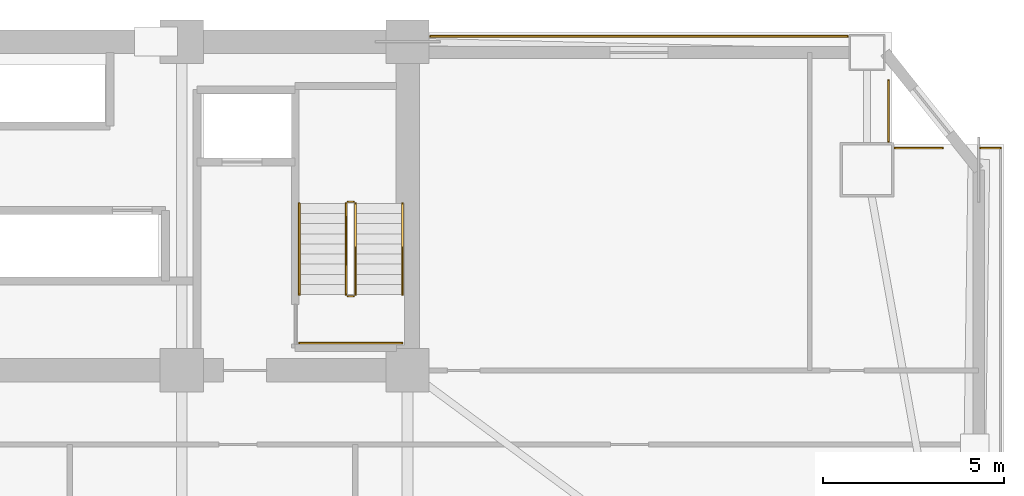
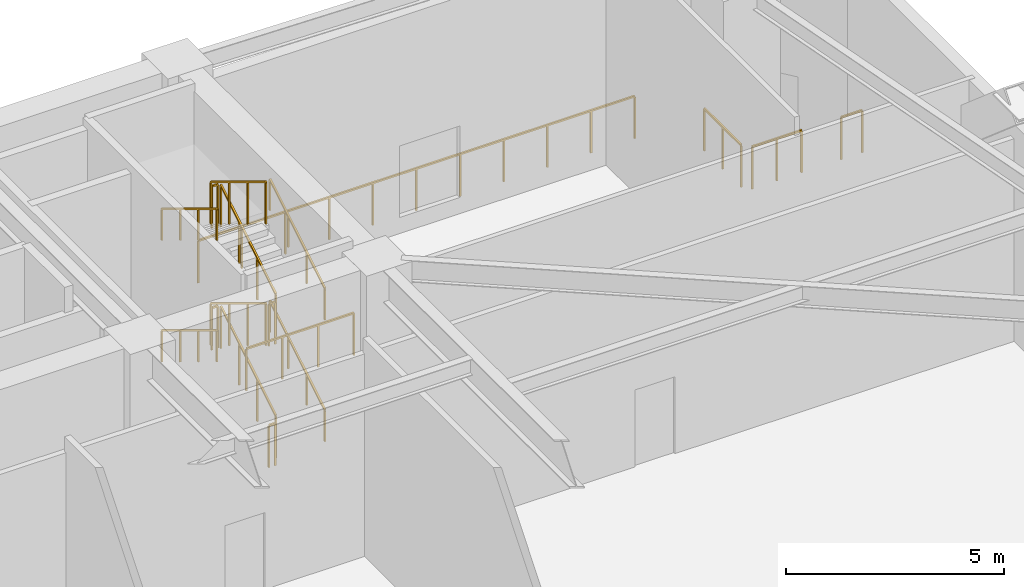
# One storey, part 22 of 22: 17 railings.
"""IFC4 building model written with IfcOpenShell, lengths in metres."""

from ifc_helpers import new_model, si_unit, direction, frame, origin, origin_2d, place, context, subcontext, project, spatial, rectangle, extrude, material, type_object, element, save


model = new_model("IFC4")

# Units and contexts
model_context = context("Model", 3, precision=1e-05, world=origin(), true_north=direction((0.0, 1.0)))
body_context = subcontext(model_context, "Body", "Model", "MODEL_VIEW")
ifc_project = project(units=[si_unit("LENGTHUNIT", "METRE"), si_unit("AREAUNIT", "SQUARE_METRE"), si_unit("VOLUMEUNIT", "CUBIC_METRE"), si_unit("PLANEANGLEUNIT", "RADIAN"), si_unit("MASSUNIT", "GRAM", prefix="KILO")], contexts=[model_context])

# Site, building, storey
site_placement = place(None, origin())
site = spatial("IfcSite", under=ifc_project, at=site_placement, CompositionType="ELEMENT")
building_placement = place(site_placement, origin())
building = spatial("IfcBuilding", under=site, at=building_placement, Name="Giltprow Tower", CompositionType="ELEMENT")
storey_placement = place(building_placement, frame((0.0, 0.0, 72.800048828125)))
storey = spatial("IfcBuildingStorey", under=building, at=storey_placement, Name="L18", CompositionType="ELEMENT", Elevation=72.800048828125)

# Railings
ifc_material = material(Name="Anodized bronze", Category="metal")
railing_type_1 = type_object("IfcRailingType", Name="RAIL-BALC-GUARD-1200", PredefinedType="BALUSTRADE", material=ifc_material)
railing_1_placement = place(storey_placement, frame((51.18505859375, 46.699951171875, 0.0)))
element("IfcRailing", 1, at=railing_1_placement, inside=storey, type_object=railing_type_1, Name="L18 Corner Apron Edge Balustrade 10", PredefinedType="BALUSTRADE", context=body_context, shape_type="SweptSolid", body=[
    extrude(rectangle(XDim=0.048095703125, YDim=0.048095703125, at=origin_2d()), frame((0.0, 0.0, 1.17578125), z_axis=(1.0, 0.0, 0.0), x_axis=(0.0, 1.0, 0.0)), (0.0, 0.0, 1.0), 11.544921875),
    extrude(rectangle(XDim=0.0419921875, YDim=0.0419921875, at=origin_2d()), origin(), (0.0, 0.0, 1.0), 1.15185546875),
    extrude(rectangle(XDim=0.0419921875, YDim=0.0419921875, at=origin_2d()), frame((1.154541015625, 0.0, 0.0)), (0.0, 0.0, 1.0), 1.15185546875),
    extrude(rectangle(XDim=0.0419921875, YDim=0.0419921875, at=origin_2d()), frame((2.30908203125, 0.0, 0.0)), (0.0, 0.0, 1.0), 1.15185546875),
    extrude(rectangle(XDim=0.0419921875, YDim=0.0419921875, at=origin_2d()), frame((3.46337890625, 0.0, 0.0)), (0.0, 0.0, 1.0), 1.15185546875),
    extrude(rectangle(XDim=0.0419921875, YDim=0.0419921875, at=origin_2d()), frame((4.617919921875, 0.0, 0.0)), (0.0, 0.0, 1.0), 1.15185546875),
    extrude(rectangle(XDim=0.0419921875, YDim=0.0419921875, at=origin_2d()), frame((5.7724609375, 0.0, 0.0)), (0.0, 0.0, 1.0), 1.15185546875),
    extrude(rectangle(XDim=0.0419921875, YDim=0.0419921875, at=origin_2d()), frame((6.927001953125, 0.0, 0.0)), (0.0, 0.0, 1.0), 1.15185546875),
    extrude(rectangle(XDim=0.0419921875, YDim=0.0419921875, at=origin_2d()), frame((8.08154296875, 0.0, 0.0)), (0.0, 0.0, 1.0), 1.15185546875),
    extrude(rectangle(XDim=0.0419921875, YDim=0.0419921875, at=origin_2d()), frame((9.23583984375, 0.0, 0.0)), (0.0, 0.0, 1.0), 1.15185546875),
    extrude(rectangle(XDim=0.0419921875, YDim=0.0419921875, at=origin_2d()), frame((10.390380859375, 0.0, 0.0)), (0.0, 0.0, 1.0), 1.15185546875),
    extrude(rectangle(XDim=0.0419921875, YDim=0.0419921875, at=origin_2d()), frame((11.544921875, 0.0, 0.0)), (0.0, 0.0, 1.0), 1.15185546875),
])
railing_2_placement = place(storey_placement, frame((63.864990234375, 45.468994140625, 0.0)))
element("IfcRailing", 2, at=railing_2_placement, inside=storey, type_object=railing_type_1, Name="L18 Corner Apron Edge Balustrade 11", PredefinedType="BALUSTRADE", context=body_context, shape_type="SweptSolid", body=[
    extrude(rectangle(XDim=0.048095703125, YDim=0.048095703125, at=origin_2d()), frame((0.0, 0.0, 1.17578125), z_axis=(0.0, -1.0, 0.0), x_axis=(1.0, 0.0, 0.0)), (0.0, 0.0, 1.0), 1.679931640625),
    extrude(rectangle(XDim=0.0419921875, YDim=0.0419921875, at=origin_2d()), origin(), (0.0, 0.0, 1.0), 1.15185546875),
    extrude(rectangle(XDim=0.0419921875, YDim=0.0419921875, at=origin_2d()), frame((0.0, -0.83984375, 0.0)), (0.0, 0.0, 1.0), 1.15185546875),
    extrude(rectangle(XDim=0.0419921875, YDim=0.0419921875, at=origin_2d()), frame((0.0, -1.679931640625, 0.0)), (0.0, 0.0, 1.0), 1.15185546875),
])
railing_3_placement = place(storey_placement, frame((64.050048828125, 43.60400390625, 0.0)))
element("IfcRailing", 3, at=railing_3_placement, inside=storey, type_object=railing_type_1, Name="L18 Corner Apron Edge Balustrade 12", PredefinedType="BALUSTRADE", context=body_context, shape_type="SweptSolid", body=[
    extrude(rectangle(XDim=0.048095703125, YDim=0.048095703125, at=origin_2d()), frame((0.0, 0.0, 1.17578125), z_axis=(1.0, 0.0, 0.0), x_axis=(0.0, 1.0, 0.0)), (0.0, 0.0, 1.0), 1.305908203125),
    extrude(rectangle(XDim=0.0419921875, YDim=0.0419921875, at=origin_2d()), origin(), (0.0, 0.0, 1.0), 1.15185546875),
    extrude(rectangle(XDim=0.0419921875, YDim=0.0419921875, at=origin_2d()), frame((0.65283203125, 0.0, 0.0)), (0.0, 0.0, 1.0), 1.15185546875),
    extrude(rectangle(XDim=0.0419921875, YDim=0.0419921875, at=origin_2d()), frame((1.305908203125, 0.0, 0.0)), (0.0, 0.0, 1.0), 1.15185546875),
])
railing_4_placement = place(storey_placement, frame((66.406005859375, 43.60400390625, 0.0)))
element("IfcRailing", 4, at=railing_4_placement, inside=storey, type_object=railing_type_1, Name="L18 Corner Apron Edge Balustrade 13", PredefinedType="BALUSTRADE", context=body_context, shape_type="SweptSolid", body=[
    extrude(rectangle(XDim=0.048095703125, YDim=0.048095703125, at=origin_2d()), frame((0.0, 0.0, 1.17578125), z_axis=(1.0, 0.0, 0.0), x_axis=(0.0, 1.0, 0.0)), (0.0, 0.0, 1.0), 0.554931640625),
    extrude(rectangle(XDim=0.0419921875, YDim=0.0419921875, at=origin_2d()), origin(), (0.0, 0.0, 1.0), 1.15185546875),
    extrude(rectangle(XDim=0.0419921875, YDim=0.0419921875, at=origin_2d()), frame((0.554931640625, 0.0, 0.0)), (0.0, 0.0, 1.0), 1.15185546875),
])
railing_type_2 = type_object("IfcRailingType", Name="RAIL-STAIR-GUARD-1200", PredefinedType="GUARDRAIL", material=ifc_material)
railing_5_placement = place(storey_placement, frame((49.110107421875, 39.550048828125, 0.169921875)))
element("IfcRailing", 5, at=railing_5_placement, inside=storey, type_object=railing_type_2, Name="L18 ST-3 stair guard 1", PredefinedType="GUARDRAIL", context=body_context, shape_type="SweptSolid", body=[
    extrude(rectangle(XDim=0.048095703125, YDim=0.048095703125, at=origin_2d()), frame((0.0, 0.0, 1.17578125), z_axis=(0.0, 0.85478489116, 0.518982456201), x_axis=(-1.0, 0.0, 0.0)), (0.0, 0.0, 1.0), 2.9482421875),
    extrude(rectangle(XDim=0.0419921875, YDim=0.0419921875, at=origin_2d()), origin(), (0.0, 0.0, 1.0), 1.15185546875),
    extrude(rectangle(XDim=0.0419921875, YDim=0.0419921875, at=origin_2d()), frame((0.0, 0.840087890625, 0.510009765625)), (0.0, 0.0, 1.0), 1.15185546875),
    extrude(rectangle(XDim=0.0419921875, YDim=0.0419921875, at=origin_2d()), frame((0.0, 1.679931640625, 1.02001953125)), (0.0, 0.0, 1.0), 1.15185546875),
    extrude(rectangle(XDim=0.0419921875, YDim=0.0419921875, at=origin_2d()), frame((0.0, 2.52001953125, 1.530029296875)), (0.0, 0.0, 1.0), 1.15185546875),
])
railing_6_placement = place(storey_placement, frame((49.06005859375, 42.1201171875, 1.699951171875)))
element("IfcRailing", 6, at=railing_6_placement, inside=storey, type_object=railing_type_2, Name="L18 ST-3 stair guard 2", PredefinedType="GUARDRAIL", context=body_context, shape_type="SweptSolid", body=[
    extrude(rectangle(XDim=0.048095703125, YDim=0.048095703125, at=origin_2d()), frame((0.0, 0.0, 1.17578125), z_axis=(-1.0, 0.0, 0.0), x_axis=(0.0, -1.0, 0.0)), (0.0, 0.0, 1.0), 0.16015625),
    extrude(rectangle(XDim=0.0419921875, YDim=0.0419921875, at=origin_2d()), origin(), (0.0, 0.0, 1.0), 1.15185546875),
    extrude(rectangle(XDim=0.0419921875, YDim=0.0419921875, at=origin_2d()), frame((-0.16015625, 0.0, 0.0)), (0.0, 0.0, 1.0), 1.15185546875),
])
railing_7_placement = place(storey_placement, frame((48.85009765625, 42.070068359375, 1.869873046875)))
element("IfcRailing", 7, at=railing_7_placement, inside=storey, type_object=railing_type_2, Name="L18 ST-3 stair guard 3", PredefinedType="GUARDRAIL", context=body_context, shape_type="SweptSolid", body=[
    extrude(rectangle(XDim=0.048095703125, YDim=0.048095703125, at=origin_2d()), frame((0.0, 0.0, 1.17578125), z_axis=(0.0, -0.85478489116, 0.518982456201), x_axis=(1.0, 0.0, 0.0)), (0.0, 0.0, 1.0), 2.9482421875),
    extrude(rectangle(XDim=0.0419921875, YDim=0.0419921875, at=origin_2d()), origin(), (0.0, 0.0, 1.0), 1.15185546875),
    extrude(rectangle(XDim=0.0419921875, YDim=0.0419921875, at=origin_2d()), frame((0.0, -0.840087890625, 0.510009765625)), (0.0, 0.0, 1.0), 1.15185546875),
    extrude(rectangle(XDim=0.0419921875, YDim=0.0419921875, at=origin_2d()), frame((0.0, -1.679931640625, 1.02001953125)), (0.0, 0.0, 1.0), 1.15185546875),
    extrude(rectangle(XDim=0.0419921875, YDim=0.0419921875, at=origin_2d()), frame((0.0, -2.52001953125, 1.530029296875)), (0.0, 0.0, 1.0), 1.15185546875),
])
railing_8_placement = place(storey_placement, frame((49.06005859375, 39.5, 3.39990234375)))
element("IfcRailing", 8, at=railing_8_placement, inside=storey, type_object=railing_type_2, Name="L18 ST-3 stair guard 4", PredefinedType="GUARDRAIL", context=body_context, shape_type="SweptSolid", body=[
    extrude(rectangle(XDim=0.048095703125, YDim=0.048095703125, at=origin_2d()), frame((0.0, 0.0, 1.17578125), z_axis=(-1.0, 0.0, 0.0), x_axis=(0.0, -1.0, 0.0)), (0.0, 0.0, 1.0), 0.16015625),
    extrude(rectangle(XDim=0.0419921875, YDim=0.0419921875, at=origin_2d()), origin(), (0.0, 0.0, 1.0), 1.15185546875),
    extrude(rectangle(XDim=0.0419921875, YDim=0.0419921875, at=origin_2d()), frame((-0.16015625, 0.0, 0.0)), (0.0, 0.0, 1.0), 1.15185546875),
])
railing_9_placement = place(storey_placement, frame((49.110107421875, 39.550048828125, 3.570068359375)))
element("IfcRailing", 9, at=railing_9_placement, inside=storey, type_object=railing_type_2, Name="L18 ST-3 stair guard 5", PredefinedType="GUARDRAIL", context=body_context, shape_type="SweptSolid", body=[
    extrude(rectangle(XDim=0.048095703125, YDim=0.048095703125, at=origin_2d()), frame((0.0, 0.0, 1.17578125), z_axis=(0.0, 0.854821627497, 0.518921945155), x_axis=(-1.0, 0.0, 0.0)), (0.0, 0.0, 1.0), 2.947998046875),
    extrude(rectangle(XDim=0.0419921875, YDim=0.0419921875, at=origin_2d()), origin(), (0.0, 0.0, 1.0), 1.15185546875),
    extrude(rectangle(XDim=0.0419921875, YDim=0.0419921875, at=origin_2d()), frame((0.0, 0.840087890625, 0.510009765625)), (0.0, 0.0, 1.0), 1.15185546875),
    extrude(rectangle(XDim=0.0419921875, YDim=0.0419921875, at=origin_2d()), frame((0.0, 1.679931640625, 1.019775390625)), (0.0, 0.0, 1.0), 1.15185546875),
    extrude(rectangle(XDim=0.0419921875, YDim=0.0419921875, at=origin_2d()), frame((0.0, 2.52001953125, 1.52978515625)), (0.0, 0.0, 1.0), 1.15185546875),
])
railing_10_placement = place(storey_placement, frame((49.06005859375, 42.1201171875, 5.099853515625)))
element("IfcRailing", 10, at=railing_10_placement, inside=storey, type_object=railing_type_2, Name="L18 ST-3 stair guard 6", PredefinedType="GUARDRAIL", context=body_context, shape_type="SweptSolid", body=[
    extrude(rectangle(XDim=0.048095703125, YDim=0.048095703125, at=origin_2d()), frame((0.0, 0.0, 1.17578125), z_axis=(-1.0, 0.0, 0.0), x_axis=(0.0, -1.0, 0.0)), (0.0, 0.0, 1.0), 0.16015625),
    extrude(rectangle(XDim=0.0419921875, YDim=0.0419921875, at=origin_2d()), origin(), (0.0, 0.0, 1.0), 1.15185546875),
    extrude(rectangle(XDim=0.0419921875, YDim=0.0419921875, at=origin_2d()), frame((-0.16015625, 0.0, 0.0)), (0.0, 0.0, 1.0), 1.15185546875),
])
railing_11_placement = place(storey_placement, frame((48.85009765625, 42.070068359375, 5.27001953125)))
element("IfcRailing", 11, at=railing_11_placement, inside=storey, type_object=railing_type_2, Name="L18 ST-3 stair guard 7", PredefinedType="GUARDRAIL", context=body_context, shape_type="SweptSolid", body=[
    extrude(rectangle(XDim=0.048095703125, YDim=0.048095703125, at=origin_2d()), frame((0.0, 0.0, 1.17578125), z_axis=(0.0, -0.85478489116, 0.518982456201), x_axis=(1.0, 0.0, 0.0)), (0.0, 0.0, 1.0), 2.9482421875),
    extrude(rectangle(XDim=0.0419921875, YDim=0.0419921875, at=origin_2d()), origin(), (0.0, 0.0, 1.0), 1.15185546875),
    extrude(rectangle(XDim=0.0419921875, YDim=0.0419921875, at=origin_2d()), frame((0.0, -0.840087890625, 0.510009765625)), (0.0, 0.0, 1.0), 1.15185546875),
    extrude(rectangle(XDim=0.0419921875, YDim=0.0419921875, at=origin_2d()), frame((0.0, -1.679931640625, 1.02001953125)), (0.0, 0.0, 1.0), 1.15185546875),
    extrude(rectangle(XDim=0.0419921875, YDim=0.0419921875, at=origin_2d()), frame((0.0, -2.52001953125, 1.530029296875)), (0.0, 0.0, 1.0), 1.15185546875),
])
railing_12_placement = place(storey_placement, frame((49.06005859375, 39.5, 0.0)))
element("IfcRailing", 12, at=railing_12_placement, inside=storey, type_object=railing_type_2, Name="L18 ST-3 stair guard 8", PredefinedType="GUARDRAIL", context=body_context, shape_type="SweptSolid", body=[
    extrude(rectangle(XDim=0.048095703125, YDim=0.048095703125, at=origin_2d()), frame((0.0, 0.0, 1.17578125), z_axis=(-1.0, 0.0, 0.0), x_axis=(0.0, -1.0, 0.0)), (0.0, 0.0, 1.0), 0.16015625),
    extrude(rectangle(XDim=0.0419921875, YDim=0.0419921875, at=origin_2d()), origin(), (0.0, 0.0, 1.0), 1.15185546875),
    extrude(rectangle(XDim=0.0419921875, YDim=0.0419921875, at=origin_2d()), frame((-0.16015625, 0.0, 0.0)), (0.0, 0.0, 1.0), 1.15185546875),
])
railing_13_placement = place(storey_placement, frame((47.56005859375, 38.2099609375, 3.39990234375)))
element("IfcRailing", 13, at=railing_13_placement, inside=storey, type_object=railing_type_2, Name="L18 ST-3 Mid-Landing Guard 2", PredefinedType="GUARDRAIL", context=body_context, shape_type="SweptSolid", body=[
    extrude(rectangle(XDim=0.048095703125, YDim=0.048095703125, at=origin_2d()), frame((0.0, 0.0, 1.17578125), z_axis=(1.0, 0.0, 0.0), x_axis=(0.0, 1.0, 0.0)), (0.0, 0.0, 1.0), 2.83984375),
    extrude(rectangle(XDim=0.0419921875, YDim=0.0419921875, at=origin_2d()), origin(), (0.0, 0.0, 1.0), 1.15185546875),
    extrude(rectangle(XDim=0.0419921875, YDim=0.0419921875, at=origin_2d()), frame((0.946533203125, 0.0, 0.0)), (0.0, 0.0, 1.0), 1.15185546875),
    extrude(rectangle(XDim=0.0419921875, YDim=0.0419921875, at=origin_2d()), frame((1.893310546875, 0.0, 0.0)), (0.0, 0.0, 1.0), 1.15185546875),
    extrude(rectangle(XDim=0.0419921875, YDim=0.0419921875, at=origin_2d()), frame((2.83984375, 0.0, 0.0)), (0.0, 0.0, 1.0), 1.15185546875),
])
railing_type_3 = type_object("IfcRailingType", Name="RAIL-STAIR-HAND-900", PredefinedType="HANDRAIL", material=ifc_material)
railing_14_placement = place(storey_placement, frame((50.409912109375, 39.550048828125, 0.169921875)))
element("IfcRailing", 14, at=railing_14_placement, inside=storey, type_object=railing_type_3, Name="L18 ST-3 stair handrail 1", PredefinedType="HANDRAIL", context=body_context, shape_type="SweptSolid", body=[
    extrude(rectangle(XDim=0.048095703125, YDim=0.048095703125, at=origin_2d()), frame((0.0, 0.0, 0.8759765625), z_axis=(0.0, 0.85478489116, 0.518982456201), x_axis=(-1.0, 0.0, 0.0)), (0.0, 0.0, 1.0), 2.9482421875),
    extrude(rectangle(XDim=0.0419921875, YDim=0.0419921875, at=origin_2d()), origin(), (0.0, 0.0, 1.0), 0.851806640625),
    extrude(rectangle(XDim=0.0419921875, YDim=0.0419921875, at=origin_2d()), frame((0.0, 0.840087890625, 0.510009765625)), (0.0, 0.0, 1.0), 0.851806640625),
    extrude(rectangle(XDim=0.0419921875, YDim=0.0419921875, at=origin_2d()), frame((0.0, 1.679931640625, 1.02001953125)), (0.0, 0.0, 1.0), 0.851806640625),
    extrude(rectangle(XDim=0.0419921875, YDim=0.0419921875, at=origin_2d()), frame((0.0, 2.52001953125, 1.530029296875)), (0.0, 0.0, 1.0), 0.851806640625),
])
railing_15_placement = place(storey_placement, frame((47.550048828125, 42.070068359375, 1.869873046875)))
element("IfcRailing", 15, at=railing_15_placement, inside=storey, type_object=railing_type_3, Name="L18 ST-3 stair handrail 2", PredefinedType="HANDRAIL", context=body_context, shape_type="SweptSolid", body=[
    extrude(rectangle(XDim=0.048095703125, YDim=0.048095703125, at=origin_2d()), frame((0.0, 0.0, 0.8759765625), z_axis=(0.0, -0.85478489116, 0.518982456201), x_axis=(1.0, 0.0, 0.0)), (0.0, 0.0, 1.0), 2.9482421875),
    extrude(rectangle(XDim=0.0419921875, YDim=0.0419921875, at=origin_2d()), origin(), (0.0, 0.0, 1.0), 0.851806640625),
    extrude(rectangle(XDim=0.0419921875, YDim=0.0419921875, at=origin_2d()), frame((0.0, -0.840087890625, 0.510009765625)), (0.0, 0.0, 1.0), 0.851806640625),
    extrude(rectangle(XDim=0.0419921875, YDim=0.0419921875, at=origin_2d()), frame((0.0, -1.679931640625, 1.02001953125)), (0.0, 0.0, 1.0), 0.851806640625),
    extrude(rectangle(XDim=0.0419921875, YDim=0.0419921875, at=origin_2d()), frame((0.0, -2.52001953125, 1.530029296875)), (0.0, 0.0, 1.0), 0.851806640625),
])
railing_16_placement = place(storey_placement, frame((50.409912109375, 39.550048828125, 3.570068359375)))
element("IfcRailing", 16, at=railing_16_placement, inside=storey, type_object=railing_type_3, Name="L18 ST-3 stair handrail 3", PredefinedType="HANDRAIL", context=body_context, shape_type="SweptSolid", body=[
    extrude(rectangle(XDim=0.048095703125, YDim=0.048095703125, at=origin_2d()), frame((0.0, 0.0, 0.8759765625), z_axis=(0.0, 0.854821627497, 0.518921945155), x_axis=(-1.0, 0.0, 0.0)), (0.0, 0.0, 1.0), 2.947998046875),
    extrude(rectangle(XDim=0.0419921875, YDim=0.0419921875, at=origin_2d()), origin(), (0.0, 0.0, 1.0), 0.851806640625),
    extrude(rectangle(XDim=0.0419921875, YDim=0.0419921875, at=origin_2d()), frame((0.0, 0.840087890625, 0.510009765625)), (0.0, 0.0, 1.0), 0.851806640625),
    extrude(rectangle(XDim=0.0419921875, YDim=0.0419921875, at=origin_2d()), frame((0.0, 1.679931640625, 1.019775390625)), (0.0, 0.0, 1.0), 0.851806640625),
    extrude(rectangle(XDim=0.0419921875, YDim=0.0419921875, at=origin_2d()), frame((0.0, 2.52001953125, 1.52978515625)), (0.0, 0.0, 1.0), 0.851806640625),
])
railing_17_placement = place(storey_placement, frame((47.550048828125, 42.070068359375, 5.27001953125)))
element("IfcRailing", 17, at=railing_17_placement, inside=storey, type_object=railing_type_3, Name="L18 ST-3 stair handrail 4", PredefinedType="HANDRAIL", context=body_context, shape_type="SweptSolid", body=[
    extrude(rectangle(XDim=0.048095703125, YDim=0.048095703125, at=origin_2d()), frame((0.0, 0.0, 0.8759765625), z_axis=(0.0, -0.85478489116, 0.518982456201), x_axis=(1.0, 0.0, 0.0)), (0.0, 0.0, 1.0), 2.9482421875),
    extrude(rectangle(XDim=0.0419921875, YDim=0.0419921875, at=origin_2d()), origin(), (0.0, 0.0, 1.0), 0.851806640625),
    extrude(rectangle(XDim=0.0419921875, YDim=0.0419921875, at=origin_2d()), frame((0.0, -0.840087890625, 0.510009765625)), (0.0, 0.0, 1.0), 0.851806640625),
    extrude(rectangle(XDim=0.0419921875, YDim=0.0419921875, at=origin_2d()), frame((0.0, -1.679931640625, 1.02001953125)), (0.0, 0.0, 1.0), 0.851806640625),
    extrude(rectangle(XDim=0.0419921875, YDim=0.0419921875, at=origin_2d()), frame((0.0, -2.52001953125, 1.530029296875)), (0.0, 0.0, 1.0), 0.851806640625),
])

save(model, "model.ifc")
